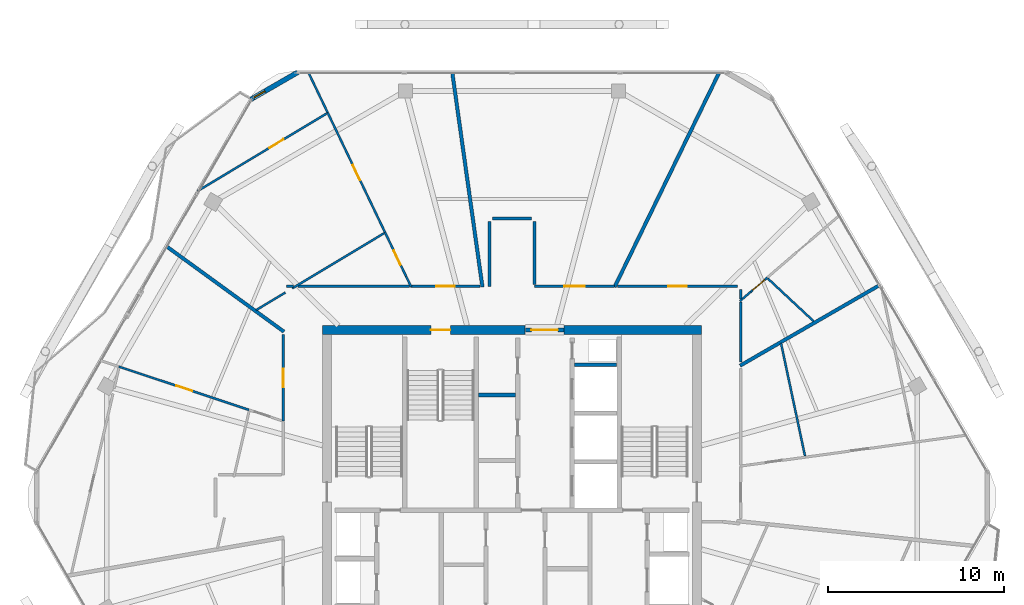
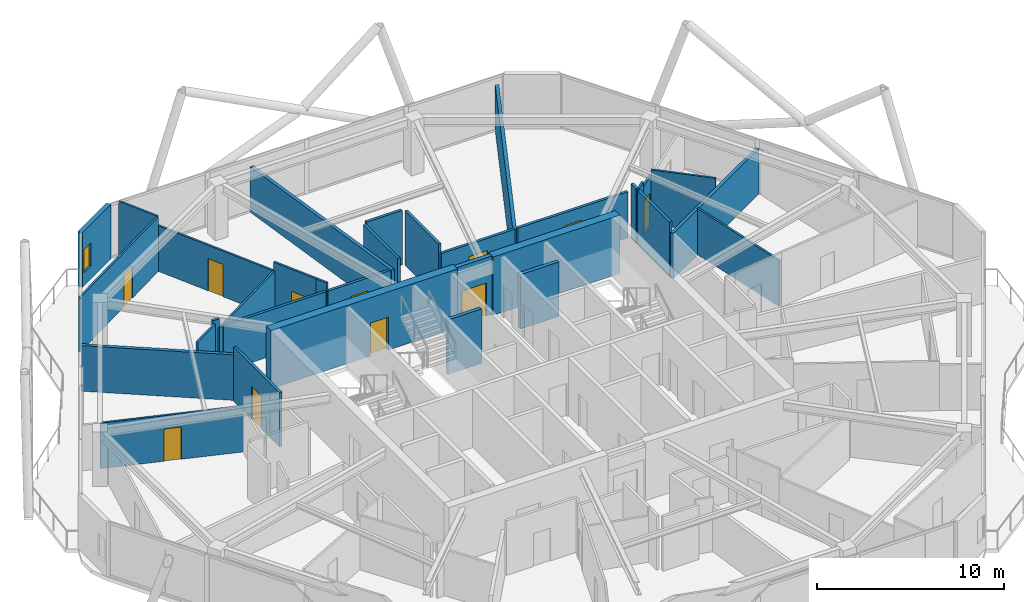
# One storey, part 19 of 23: 33 walls, 11 doors, 1 window, 12 openings.
"""IFC4 building model written with IfcOpenShell, lengths in metres."""

import ifcopenshell
import ifcopenshell.guid

model = None  # the IFC model being written
_history = None  # IfcOwnerHistory: only IFC2X3 demands one
_inside = {}  # id of a spatial element -> (the spatial element, [elements in it])
_under = {}  # id of a project, library or spatial element -> (it, [spatial elements below it])
_declared = {}  # id of a project -> (the project, [libraries it declares])
_typed = {}  # id of a type object -> (the type object, [elements of that type])
_made_of = {}  # id of a material, layer set ... -> (it, [elements and type objects made of it])


def new_model(schema):
    """Start an empty IFC model of exactly this schema.

    Asked for "IFC4X3", IfcOpenShell would pick the latest addendum, in which some entities
    have other attributes; the version numbers below select the first issue.
    IFC2X3 requires an IfcOwnerHistory on every rooted entity: one is made here for all.
    """
    global model, _history
    if schema == "IFC4X3":
        model = ifcopenshell.file(schema_version=(4, 3, 0, 0))
    else:
        model = ifcopenshell.file(schema=schema)
    _inside.clear()
    _under.clear()
    _declared.clear()
    _typed.clear()
    _made_of.clear()
    _history = None
    if model.schema == "IFC2X3":
        org = make("IfcOrganization", Name="unknown")
        user = make(
            "IfcPersonAndOrganization",
            ThePerson=make("IfcPerson", FamilyName="unknown"),
            TheOrganization=org,
        )
        app = make(
            "IfcApplication",
            ApplicationDeveloper=org,
            Version="unknown",
            ApplicationFullName="unknown",
            ApplicationIdentifier="unknown",
        )
        _history = make(
            "IfcOwnerHistory",
            OwningUser=user,
            OwningApplication=app,
            ChangeAction="ADDED",
            CreationDate=0,
        )
    return model


def make(cls, **values):
    """One entity of the class cls with the attributes given. An attribute that is None is left unset."""
    return model.create_entity(
        cls, **{name: value for name, value in values.items() if value is not None}
    )


def rooted(cls, **values):
    """An entity with a GlobalId (a new one), such as an element, a storey or a relation."""
    return make(cls, GlobalId=ifcopenshell.guid.new(), OwnerHistory=_history, **values)


def si_unit(unit_type, name, prefix=None):
    """IfcSIUnit, for example si_unit("LENGTHUNIT", "METRE", prefix="MILLI")."""
    return make("IfcSIUnit", UnitType=unit_type, Prefix=prefix, Name=name)


def assignment(units):
    """IfcUnitAssignment: the units of a project."""
    return None if units is None else make("IfcUnitAssignment", Units=units)


def point(xyz):
    """IfcCartesianPoint."""
    return None if xyz is None else make("IfcCartesianPoint", Coordinates=xyz)


def direction(xyz):
    """IfcDirection."""
    return None if xyz is None else make("IfcDirection", DirectionRatios=xyz)


def frame(location, z_axis=None, x_axis=None):
    """IfcAxis2Placement3D, a coordinate frame: its origin and axes. An axis left out is left unset."""
    return make(
        "IfcAxis2Placement3D",
        Location=point(location),
        Axis=direction(z_axis),
        RefDirection=direction(x_axis),
    )


def frame_2d(location, x_axis=None):
    """IfcAxis2Placement2D, a coordinate frame in the plane: its origin and x axis."""
    return make(
        "IfcAxis2Placement2D", Location=point(location), RefDirection=direction(x_axis)
    )


def origin():
    """The frame at (0, 0, 0) with its axes left unset."""
    return frame((0.0, 0.0, 0.0))


def place(relative_to, where):
    """IfcLocalPlacement: puts the frame where relative to a parent placement (None: the world)."""
    return make(
        "IfcLocalPlacement", PlacementRelTo=relative_to, RelativePlacement=where
    )


def context(
    kind, dimensions, precision=None, world=None, true_north=None, identifier=None
):
    """IfcGeometricRepresentationContext, for example the 3D "Model" context."""
    return make(
        "IfcGeometricRepresentationContext",
        ContextIdentifier=identifier,
        ContextType=kind,
        CoordinateSpaceDimension=dimensions,
        Precision=precision,
        WorldCoordinateSystem=world,
        TrueNorth=true_north,
    )


def subcontext(parent, identifier, kind, view, scale=None):
    """IfcGeometricRepresentationSubContext, for example "Body" below "Model"."""
    return make(
        "IfcGeometricRepresentationSubContext",
        ContextIdentifier=identifier,
        ContextType=kind,
        ParentContext=parent,
        TargetScale=scale,
        TargetView=view,
    )


def project(units=None, contexts=None):
    """IfcProject with its units and contexts."""
    return rooted(
        "IfcProject",
        Name="project",
        RepresentationContexts=contexts,
        UnitsInContext=assignment(units),
    )


def spatial(cls, under=None, at=None, **own):
    """A site, building, storey or space (cls), placed at a placement, below another one or the project."""
    s = rooted(cls, ObjectPlacement=at, **own)
    if under is not None:
        _under.setdefault(under.id(), (under, []))[1].append(s)
    return s


def profile(cls, at=None, kind="AREA", **sizes):
    """A parametric profile (cls). Its sizes go by their IFC names, for example OverallWidth=200.0."""
    return make(cls, ProfileType=kind, Position=at, **sizes)


def rectangle(**sizes):
    """IfcRectangleProfileDef."""
    return profile("IfcRectangleProfileDef", **sizes)


def extrude(swept, where, along, depth):
    """IfcExtrudedAreaSolid: the profile swept, set in the frame where, extruded along a direction by depth."""
    return make(
        "IfcExtrudedAreaSolid",
        SweptArea=swept,
        Position=where,
        ExtrudedDirection=direction(along),
        Depth=depth,
    )


def shape(context_of_items, identifier, shape_type, items):
    """IfcShapeRepresentation: the items that make up one representation, for example the "Body"."""
    return make(
        "IfcShapeRepresentation",
        ContextOfItems=context_of_items,
        RepresentationIdentifier=identifier,
        RepresentationType=shape_type,
        Items=items,
    )


def material(Name=None, Category=None):
    """IfcMaterial."""
    return make("IfcMaterial", Name=Name, Category=Category)


def layer(
    of_material, thickness, ventilated=None, Name=None, Category=None, Priority=None
):
    """IfcMaterialLayer: one layer of a wall or slab, of a material (None: an air gap)."""
    return make(
        "IfcMaterialLayer",
        Material=of_material,
        LayerThickness=thickness,
        IsVentilated=ventilated,
        Name=Name,
        Category=Category,
        Priority=Priority,
    )


def layer_set(layers, Name=None):
    """IfcMaterialLayerSet."""
    return make("IfcMaterialLayerSet", MaterialLayers=layers, LayerSetName=Name)


def made_of(thing, what):
    """Note that an element or type object is made of a material, layer set ...; save() writes the relation."""
    if what is not None:
        _made_of.setdefault(what.id(), (what, []))[1].append(thing)
    return thing


def type_object(cls, material=None, **own):
    """A type object (cls), such as IfcWallType, which elements share."""
    return made_of(rooted(cls, **own), material)


def element(
    cls,
    number,
    at=None,
    inside=None,
    cuts=None,
    type_object=None,
    material=None,
    context=None,
    identifier="Body",
    shape_type=None,
    held_by="IfcProductDefinitionShape",
    body=None,
    shapes=None,
    **own,
):
    """One element of the class cls, such as IfcWall. Its Tag is "e" and its number.

    at: its placement. inside: the storey or other place that contains it. cuts: it is an
    opening in that element (IfcRelVoidsElement). A single representation is given by context,
    identifier, shape_type and body (its items); several are given by shapes. held_by: the class
    of the entity that holds the representations. save() writes the other relations.
    """
    e = rooted(cls, Tag="e%d" % number, ObjectPlacement=at, **own)
    if body is not None:
        shapes = [shape(context, identifier, shape_type, body)]
    if shapes is not None:
        e.Representation = make(held_by, Representations=shapes)
    if inside is not None:
        _inside.setdefault(inside.id(), (inside, []))[1].append(e)
    if cuts is not None:
        rooted(
            "IfcRelVoidsElement", RelatingBuildingElement=cuts, RelatedOpeningElement=e
        )
    if type_object is not None:
        _typed.setdefault(type_object.id(), (type_object, []))[1].append(e)
    return made_of(e, material)


def fill(opening, filler):
    """IfcRelFillsElement: the door or window that sits in an opening."""
    return rooted(
        "IfcRelFillsElement",
        RelatingOpeningElement=opening,
        RelatedBuildingElement=filler,
    )


def aggregate(whole, parts):
    """IfcRelAggregates: a whole, such as a stair, and the parts it consists of."""
    return rooted("IfcRelAggregates", RelatingObject=whole, RelatedObjects=parts)


def save(model, path):
    """Write the relations noted so far, then the file.

    IfcRelAggregates (storeys below a building ...), IfcRelContainedInSpatialStructure (elements
    in a storey), IfcRelDefinesByType, IfcRelAssociatesMaterial and IfcRelDeclares: one each for
    every whole, place, type object, material and project.
    """
    for whole, parts in _under.values():
        aggregate(whole, parts)
    for where, things in _inside.values():
        rooted(
            "IfcRelContainedInSpatialStructure",
            RelatedElements=things,
            RelatingStructure=where,
        )
    for kind, things in _typed.values():
        rooted("IfcRelDefinesByType", RelatedObjects=things, RelatingType=kind)
    for what, things in _made_of.values():
        rooted("IfcRelAssociatesMaterial", RelatedObjects=things, RelatingMaterial=what)
    for by, libraries in _declared.values():
        rooted("IfcRelDeclares", RelatingContext=by, RelatedDefinitions=libraries)
    model.write(path)


model = new_model("IFC4")

# Units and contexts
model_context = context("Model", 3, precision=1e-05, world=origin(), true_north=direction((0.0, 1.0)))
body_context = subcontext(model_context, "Body", "Model", "MODEL_VIEW")
ifc_project = project(units=[si_unit("LENGTHUNIT", "METRE"), si_unit("AREAUNIT", "SQUARE_METRE"), si_unit("VOLUMEUNIT", "CUBIC_METRE"), si_unit("PLANEANGLEUNIT", "RADIAN"), si_unit("MASSUNIT", "GRAM", prefix="KILO")], contexts=[model_context])

# Site, building, storey
site_placement = place(None, origin())
site = spatial("IfcSite", under=ifc_project, at=site_placement, CompositionType="ELEMENT")
building_placement = place(site_placement, origin())
building = spatial("IfcBuilding", under=site, at=building_placement, Name="Zuhravey Tower", CompositionType="ELEMENT")
storey_placement = place(building_placement, frame((0.0, 0.0, 315.800048828125)))
storey = spatial("IfcBuildingStorey", under=building, at=storey_placement, Name="L80", CompositionType="ELEMENT", Elevation=315.800048828125)

# Wall
ifc_material_1 = material(Name="Concrete C50/60", Category="concrete")
ifc_layer_1 = layer(ifc_material_1, 0.5)
ifc_layer_set_1 = layer_set([ifc_layer_1], Name="Concrete C50/60")
wall_type_1 = type_object("IfcWallType", Name="Core Shear Wall 500", PredefinedType="SHEAR", material=ifc_layer_set_1)
wall_1_placement = place(storey_placement, frame((46.75, 41.5, 0.0), z_axis=(0.0, 0.0, 1.0), x_axis=(-1.0, 0.0, 0.0)))
element("IfcWall", 1, at=wall_1_placement, inside=storey, type_object=wall_type_1, Name="L80 North-East Core Shear Wall CW50", PredefinedType="SHEAR", context=body_context, shape_type="SweptSolid", body=[
    extrude(rectangle(XDim=7.800048828125, YDim=0.5, at=frame_2d((3.89990234375, 0.0))), origin(), (0.0, 0.0, 1.0), 3.800048828125),
])

# Wall, opening, door
wall_2_placement = place(storey_placement, frame((36.75, 41.5, 0.0), z_axis=(0.0, 0.0, 1.0), x_axis=(-1.0, 0.0, 0.0)))
wall_2 = element("IfcWall", 2, at=wall_2_placement, inside=storey, type_object=wall_type_1, Name="L80 North-West Core Shear Wall CW50", PredefinedType="SHEAR", context=body_context, shape_type="SweptSolid", body=[
    extrude(rectangle(XDim=11.5, YDim=0.5, at=frame_2d((5.75, 0.0))), origin(), (0.0, 0.0, 1.0), 3.800048828125),
])
opening_1_placement = place(wall_2_placement, frame((4.25, 0.0, 0.0)))
opening_1 = element("IfcOpeningElement", 3, at=opening_1_placement, cuts=wall_2, Name="Opening STD1", PredefinedType="OPENING", context=body_context, shape_type="SweptSolid", body=[
    extrude(rectangle(XDim=1.10009765625, YDim=2.14990234375, at=frame_2d((0.550048828125, 1.074951171875))), frame((0.0, 0.261962890625, 0.0), z_axis=(0.0, -1.0, 0.0), x_axis=(1.0, 0.0, 0.0)), (0.0, 0.0, 1.0), 0.52392578125),
])
ifc_material_2 = material(Name="Galvanised fire-rated steel leaf", Category="steel")
door_type_1 = type_object("IfcDoorType", Name="Protected Stair Fire Door 1100x2150", OperationType="NOTDEFINED", PredefinedType="USERDEFINED", material=ifc_material_2)
door_1_placement = place(opening_1_placement, origin())
door_1 = element("IfcDoor", 4, at=door_1_placement, inside=storey, type_object=door_type_1, Name="L80 Stair ST3 Door", ObjectType="EXITDOOR", OperationType="SINGLE_SWING_RIGHT", OverallHeight=2.14990234375, OverallWidth=1.10009765625, PredefinedType="USERDEFINED", context=body_context, shape_type="SweptSolid", body=[
    extrude(rectangle(XDim=1.10009765625, YDim=2.14990234375, at=frame_2d((0.550048828125, 1.074951171875))), frame((0.0, 0.02490234375, 0.0), z_axis=(0.0, -1.0, 0.0), x_axis=(1.0, 0.0, 0.0)), (0.0, 0.0, 1.0), 0.050048828125),
])
fill(opening_1, door_1)

ifc_material_3 = material(Name="Gypsum fire-rated stud partition")
ifc_layer_2 = layer(ifc_material_3, 0.159912109375)
ifc_layer_set_2 = layer_set([ifc_layer_2], Name="Gypsum fire-rated stud partition")
wall_type_2 = type_object("IfcWallType", Name="Corridor Fire Partition 160", PredefinedType="PARTITIONING", material=ifc_layer_set_2)
wall_3_placement = place(storey_placement, frame((34.189453125, 43.97998046875, 0.0), z_axis=(0.0, 0.0, 1.0), x_axis=(-1.0, 0.0, 0.0)))
wall_3 = element("IfcWall", 5, at=wall_3_placement, inside=storey, type_object=wall_type_2, Name="L80 IW16 Partition 023", PredefinedType="PARTITIONING", context=body_context, shape_type="SweptSolid", body=[
    extrude(rectangle(XDim=3.9072265625, YDim=0.159912109375, at=frame_2d((1.95361328125, 0.0))), origin(), (0.0, 0.0, 1.0), 3.0),
])
opening_2_placement = place(wall_3_placement, frame((1.428466796875, 0.0, 0.0)))
opening_2 = element("IfcOpeningElement", 6, at=opening_2_placement, cuts=wall_3, Name="Opening APD1", PredefinedType="OPENING", context=body_context, shape_type="SweptSolid", body=[
    extrude(rectangle(XDim=1.050048828125, YDim=2.14990234375, at=frame_2d((0.52490234375, 1.074951171875))), frame((0.0, 0.092041015625, 0.0), z_axis=(0.0, -1.0, 0.0), x_axis=(1.0, 0.0, 0.0)), (0.0, 0.0, 1.0), 0.183837890625),
])
ifc_material_4 = material(Name="Solid-core oak fire-rated leaf")
door_type_2 = type_object("IfcDoorType", Name="Apartment Entrance Fire Door 1050x2150", OperationType="NOTDEFINED", PredefinedType="DOOR", material=ifc_material_4)
door_2_placement = place(opening_2_placement, frame((1.050048828125, 0.0, 0.0), z_axis=(0.0, 0.0, 1.0), x_axis=(-1.0, 0.0, 0.0)))
door_2 = element("IfcDoor", 7, at=door_2_placement, inside=storey, type_object=door_type_2, Name="L80 Door 023.1", OperationType="SINGLE_SWING_RIGHT", OverallHeight=2.14990234375, OverallWidth=1.050048828125, PredefinedType="DOOR", context=body_context, shape_type="SweptSolid", body=[
    extrude(rectangle(XDim=1.050048828125, YDim=2.14990234375, at=frame_2d((0.52490234375, 1.074951171875))), frame((0.0, 0.02490234375, 0.0), z_axis=(0.0, -1.0, 0.0), x_axis=(1.0, 0.0, 0.0)), (0.0, 0.0, 1.0), 0.050048828125),
])
fill(opening_2, door_2)

wall_4_placement = place(storey_placement, frame((23.02001953125, 41.23388671875, 0.0), z_axis=(0.0, 0.0, 1.0), x_axis=(0.0, -1.0, 0.0)))
wall_4 = element("IfcWall", 8, at=wall_4_placement, inside=storey, type_object=wall_type_2, Name="L80 IW16 Partition 027", PredefinedType="PARTITIONING", context=body_context, shape_type="SweptSolid", body=[
    extrude(rectangle(XDim=4.89501953125, YDim=0.159912109375, at=frame_2d((2.447509765625, 0.0))), origin(), (0.0, 0.0, 1.0), 3.550048828125),
])
opening_3_placement = place(wall_4_placement, frame((1.922607421875, 0.0, 0.0)))
opening_3 = element("IfcOpeningElement", 9, at=opening_3_placement, cuts=wall_4, Name="Opening APD1", PredefinedType="OPENING", context=body_context, shape_type="SweptSolid", body=[
    extrude(rectangle(XDim=1.050048828125, YDim=2.14990234375, at=frame_2d((0.52490234375, 1.074951171875))), frame((0.0, 0.092041015625, 0.0), z_axis=(0.0, -1.0, 0.0), x_axis=(1.0, 0.0, 0.0)), (0.0, 0.0, 1.0), 0.183837890625),
])
door_3_placement = place(opening_3_placement, frame((1.050048828125, 0.0, 0.0), z_axis=(0.0, 0.0, 1.0), x_axis=(-1.0, 0.0, 0.0)))
door_3 = element("IfcDoor", 10, at=door_3_placement, inside=storey, type_object=door_type_2, Name="L80 Door 027.1", OperationType="SINGLE_SWING_RIGHT", OverallHeight=2.14990234375, OverallWidth=1.050048828125, PredefinedType="DOOR", context=body_context, shape_type="SweptSolid", body=[
    extrude(rectangle(XDim=1.050048828125, YDim=2.14990234375, at=frame_2d((0.52490234375, 1.074951171875))), frame((0.0, 0.02490234375, 0.0), z_axis=(0.0, -1.0, 0.0), x_axis=(1.0, 0.0, 0.0)), (0.0, 0.0, 1.0), 0.050048828125),
])
fill(opening_3, door_3)

wall_5_placement = place(storey_placement, frame((48.800048828125, 43.97998046875, 0.0), z_axis=(0.0, 0.0, 1.0), x_axis=(-1.0, 0.0, 0.0)))
wall_5 = element("IfcWall", 11, at=wall_5_placement, inside=storey, type_object=wall_type_2, Name="L80 IW16 Partition 050", PredefinedType="PARTITIONING", context=body_context, shape_type="SweptSolid", body=[
    extrude(rectangle(XDim=6.8046875, YDim=0.159912109375, at=frame_2d((3.40234375, 0.0))), origin(), (0.0, 0.0, 1.0), 3.0),
])
opening_4_placement = place(wall_5_placement, frame((2.877197265625, 0.0, 0.0)))
opening_4 = element("IfcOpeningElement", 12, at=opening_4_placement, cuts=wall_5, Name="Opening APD1", PredefinedType="OPENING", context=body_context, shape_type="SweptSolid", body=[
    extrude(rectangle(XDim=1.050048828125, YDim=2.14990234375, at=frame_2d((0.52490234375, 1.074951171875))), frame((0.0, 0.092041015625, 0.0), z_axis=(0.0, -1.0, 0.0), x_axis=(1.0, 0.0, 0.0)), (0.0, 0.0, 1.0), 0.183837890625),
])
door_4_placement = place(opening_4_placement, frame((1.050048828125, 0.0, 0.0), z_axis=(0.0, 0.0, 1.0), x_axis=(-1.0, 0.0, 0.0)))
door_4 = element("IfcDoor", 13, at=door_4_placement, inside=storey, type_object=door_type_2, Name="L80 Door 050.1", OperationType="SINGLE_SWING_LEFT", OverallHeight=2.14990234375, OverallWidth=1.050048828125, PredefinedType="DOOR", context=body_context, shape_type="SweptSolid", body=[
    extrude(rectangle(XDim=1.050048828125, YDim=2.14990234375, at=frame_2d((0.52490234375, 1.074951171875))), frame((0.0, 0.02490234375, 0.0), z_axis=(0.0, -1.0, 0.0), x_axis=(1.0, 0.0, 0.0)), (0.0, 0.0, 1.0), 0.050048828125),
])
fill(opening_4, door_4)

wall_6_placement = place(storey_placement, frame((41.82080078125, 43.97998046875, 0.0), z_axis=(0.0, 0.0, 1.0), x_axis=(-1.0, 0.0, 0.0)))
wall_6 = element("IfcWall", 14, at=wall_6_placement, inside=storey, type_object=wall_type_2, Name="L80 IW16 Partition 051", PredefinedType="PARTITIONING", context=body_context, shape_type="SweptSolid", body=[
    extrude(rectangle(XDim=4.540771484375, YDim=0.159912109375, at=frame_2d((2.2705078125, 0.0))), origin(), (0.0, 0.0, 1.0), 3.0),
])
opening_5_placement = place(wall_6_placement, frame((1.6953125, 0.0, 0.0)))
opening_5 = element("IfcOpeningElement", 15, at=opening_5_placement, cuts=wall_6, Name="Opening CLD1", PredefinedType="OPENING", context=body_context, shape_type="SweptSolid", body=[
    extrude(rectangle(XDim=1.14990234375, YDim=2.199951171875, at=frame_2d((0.574951171875, 1.10009765625))), frame((0.0, 0.092041015625, 0.0), z_axis=(0.0, -1.0, 0.0), x_axis=(1.0, 0.0, 0.0)), (0.0, 0.0, 1.0), 0.183837890625),
])
ifc_material_5 = material(Name="Acoustic timber leaf with vision lite", Category="wood")
door_type_3 = type_object("IfcDoorType", Name="Classroom Acoustic Door 1150x2200", OperationType="NOTDEFINED", PredefinedType="DOOR", material=ifc_material_5)
door_5_placement = place(opening_5_placement, frame((1.14990234375, 0.0, 0.0), z_axis=(0.0, 0.0, 1.0), x_axis=(-1.0, 0.0, 0.0)))
door_5 = element("IfcDoor", 16, at=door_5_placement, inside=storey, type_object=door_type_3, Name="L80 Door 051.1", OperationType="SINGLE_SWING_RIGHT", OverallHeight=2.199951171875, OverallWidth=1.14990234375, PredefinedType="DOOR", context=body_context, shape_type="SweptSolid", body=[
    extrude(rectangle(XDim=1.14990234375, YDim=2.199951171875, at=frame_2d((0.574951171875, 1.10009765625))), frame((0.0, 0.02490234375, 0.0), z_axis=(0.0, -1.0, 0.0), x_axis=(1.0, 0.0, 0.0)), (0.0, 0.0, 1.0), 0.050048828125),
])
fill(opening_5, door_5)

# Walls
wall_7_placement = place(storey_placement, frame((30.184814453125, 43.97998046875, 0.0), z_axis=(0.0, 0.0, 1.0), x_axis=(-1.0, 0.0, 0.0)))
element("IfcWall", 17, at=wall_7_placement, inside=storey, type_object=wall_type_2, Name="L80 IW16 Partition 094", PredefinedType="PARTITIONING", context=body_context, shape_type="SweptSolid", body=[
    extrude(rectangle(XDim=6.3203125, YDim=0.159912109375, at=frame_2d((3.16015625, 0.0))), origin(), (0.0, 0.0, 1.0), 3.0),
])
wall_8_placement = place(storey_placement, frame((23.6005859375, 43.97998046875, 0.0), z_axis=(0.0, 0.0, 1.0), x_axis=(-1.0, 0.0, 0.0)))
element("IfcWall", 18, at=wall_8_placement, inside=storey, type_object=wall_type_2, Name="L80 IW16 Partition 095", PredefinedType="PARTITIONING", context=body_context, shape_type="SweptSolid", body=[
    extrude(rectangle(XDim=0.400634765625, YDim=0.159912109375, at=frame_2d((0.2001953125, 0.0))), origin(), (0.0, 0.0, 1.0), 3.550048828125),
])
wall_9_placement = place(storey_placement, frame((48.97998046875, 43.26611328125, 0.0), z_axis=(0.0, 0.0, 1.0), x_axis=(0.0, 1.0, 0.0)))
element("IfcWall", 19, at=wall_9_placement, inside=storey, type_object=wall_type_2, Name="L80 IW16 Partition 112", PredefinedType="PARTITIONING", context=body_context, shape_type="SweptSolid", body=[
    extrude(rectangle(XDim=0.533935546875, YDim=0.159912109375, at=frame_2d((0.26708984375, 0.0))), origin(), (0.0, 0.0, 1.0), 3.550048828125),
])
wall_10_placement = place(storey_placement, frame((48.97998046875, 39.6689453125, 0.0), z_axis=(0.0, 0.0, 1.0), x_axis=(0.0, 1.0, 0.0)))
element("IfcWall", 20, at=wall_10_placement, inside=storey, type_object=wall_type_2, Name="L80 IW16 Partition 113", PredefinedType="PARTITIONING", context=body_context, shape_type="SweptSolid", body=[
    extrude(rectangle(XDim=3.417724609375, YDim=0.159912109375, at=frame_2d((1.708984375, 0.0))), origin(), (0.0, 0.0, 1.0), 3.550048828125),
])
wall_11_placement = place(storey_placement, frame((37.280029296875, 44.068115234375, 0.0), z_axis=(0.0, 0.0, 1.0), x_axis=(0.0, 1.0, 0.0)))
element("IfcWall", 21, at=wall_11_placement, inside=storey, type_object=wall_type_2, Name="L80 IW16 Partition 114", PredefinedType="PARTITIONING", context=body_context, shape_type="SweptSolid", body=[
    extrude(rectangle(XDim=3.581787109375, YDim=0.159912109375, at=frame_2d((1.791015625, 0.0))), origin(), (0.0, 0.0, 1.0), 3.550048828125),
])
wall_12_placement = place(storey_placement, frame((34.719970703125, 47.64990234375, 0.0), z_axis=(0.0, 0.0, 1.0), x_axis=(0.0, -1.0, 0.0)))
element("IfcWall", 22, at=wall_12_placement, inside=storey, type_object=wall_type_2, Name="L80 IW16 Partition 115", PredefinedType="PARTITIONING", context=body_context, shape_type="SweptSolid", body=[
    extrude(rectangle(XDim=3.669921875, YDim=0.159912109375, at=frame_2d((1.8349609375, 0.0))), origin(), (0.0, 0.0, 1.0), 3.550048828125),
])
wall_13_placement = place(storey_placement, frame((37.10009765625, 47.830078125, 0.0), z_axis=(0.0, 0.0, 1.0), x_axis=(-1.0, 0.0, 0.0)))
element("IfcWall", 23, at=wall_13_placement, inside=storey, type_object=wall_type_2, Name="L80 IW16 Partition 116", PredefinedType="PARTITIONING", context=body_context, shape_type="SweptSolid", body=[
    extrude(rectangle(XDim=2.2001953125, YDim=0.159912109375, at=frame_2d((1.10009765625, 0.0))), origin(), (0.0, 0.0, 1.0), 3.550048828125),
])

# Wall, opening, window
ifc_material_6 = material(Name="Precast concrete C40/50", Category="concrete")
ifc_layer_3 = layer(ifc_material_6, 0.280029296875)
ifc_layer_set_3 = layer_set([ifc_layer_3], Name="Precast concrete C40/50")
wall_type_3 = type_object("IfcWallType", Name="Crown Architectural Wall 280", PredefinedType="SOLIDWALL", material=ifc_layer_set_3)
wall_14_placement = place(storey_placement, frame((21.188720703125, 54.589111328125, 0.0), z_axis=(0.0, 0.0, 1.0), x_axis=(0.866023752521, 0.50000286006, 0.0)))
wall_14 = element("IfcWall", 24, at=wall_14_placement, inside=storey, type_object=wall_type_3, Name="L80 Rounded Corner Closure Wall EW28-08", PredefinedType="SOLIDWALL", context=body_context, shape_type="SweptSolid", body=[
    extrude(rectangle(XDim=3.06494140625, YDim=0.280029296875, at=frame_2d((1.532470703125, 0.0))), origin(), (0.0, 0.0, 1.0), 3.550048828125),
])
opening_6_placement = place(wall_14_placement, frame((0.1728515625, 0.0, 0.85009765625)))
opening_6 = element("IfcOpeningElement", 25, at=opening_6_placement, cuts=wall_14, Name="Opening WN5", PredefinedType="OPENING", context=body_context, shape_type="SweptSolid", body=[
    extrude(rectangle(XDim=0.75, YDim=1.5, at=frame_2d((0.375, 0.75))), frame((0.0, 0.152099609375, 0.0), z_axis=(0.0, -1.0, 0.0), x_axis=(1.0, 0.0, 0.0)), (0.0, 0.0, 1.0), 0.303955078125),
])
ifc_material_7 = material(Name="Thermally broken aluminium and triple low-E glass", Category="aluminium")
window_type = type_object("IfcWindowType", Name="Residential Corner Casement Window 750x1500", PartitioningType="SINGLE_PANEL", PredefinedType="WINDOW", material=ifc_material_7)
window_placement = place(opening_6_placement, origin())
window = element("IfcWindow", 26, at=window_placement, inside=storey, type_object=window_type, Name="L80 Corner Casement Window WN5-08.1", OverallHeight=1.5, OverallWidth=0.75, PartitioningType="SINGLE_PANEL", PredefinedType="WINDOW", context=body_context, shape_type="SweptSolid", body=[
    extrude(rectangle(XDim=0.75, YDim=1.5, at=frame_2d((0.375, 0.75))), frame((0.0, 0.030029296875, 0.0), z_axis=(0.0, -1.0, 0.0), x_axis=(1.0, 0.0, 0.0)), (0.0, 0.0, 1.0), 0.06005859375),
])
fill(opening_6, window)

# Wall, opening, door
ifc_layer_4 = layer(ifc_material_1, 0.25)
ifc_layer_set_4 = layer_set([ifc_layer_4], Name="Concrete C50/60")
wall_type_4 = type_object("IfcWallType", Name="Firefighting Shaft & Stair Wall 250", PredefinedType="SOLIDWALL", material=ifc_layer_set_4)
wall_15_placement = place(storey_placement, frame((36.760009765625, 41.5, 0.0), z_axis=(0.0, 0.0, 1.0), x_axis=(1.0, 0.0, 0.0)))
wall_15 = element("IfcWall", 27, at=wall_15_placement, inside=storey, type_object=wall_type_4, Name="L80 FW25 Shaft Wall 002", PredefinedType="SOLIDWALL", context=body_context, shape_type="SweptSolid", body=[
    extrude(rectangle(XDim=2.179931640625, YDim=0.25, at=frame_2d((1.08984375, 0.0))), origin(), (0.0, 0.0, 1.0), 3.800048828125),
])
opening_7_placement = place(wall_15_placement, frame((0.340087890625, 0.0, 0.0)))
opening_7 = element("IfcOpeningElement", 28, at=opening_7_placement, cuts=wall_15, Name="Opening FFD1", PredefinedType="OPENING", context=body_context, shape_type="SweptSolid", body=[
    extrude(rectangle(XDim=1.5, YDim=2.14990234375, at=frame_2d((0.75, 1.074951171875))), frame((0.0, 0.136962890625, 0.0), z_axis=(0.0, -1.0, 0.0), x_axis=(1.0, 0.0, 0.0)), (0.0, 0.0, 1.0), 0.27392578125),
])
door_type_4 = type_object("IfcDoorType", Name="Firefighting Lobby Double Door 1500x2150", OperationType="DOUBLE_DOOR_SINGLE_SWING", PredefinedType="DOOR", material=ifc_material_2)
door_6_placement = place(opening_7_placement, origin())
door_6 = element("IfcDoor", 29, at=door_6_placement, inside=storey, type_object=door_type_4, Name="L80 North Lift Lobby Exit Door", OperationType="DOUBLE_DOOR_SINGLE_SWING", OverallHeight=2.14990234375, OverallWidth=1.5, PredefinedType="DOOR", context=body_context, shape_type="SweptSolid", body=[
    extrude(rectangle(XDim=1.5, YDim=2.14990234375, at=frame_2d((0.75, 1.074951171875))), frame((0.0, 0.02490234375, 0.0), z_axis=(0.0, -1.0, 0.0), x_axis=(1.0, 0.0, 0.0)), (0.0, 0.0, 1.0), 0.050048828125),
])
fill(opening_7, door_6)

# Walls
ifc_material_8 = material(Name="Gypsum double-stud party assembly")
ifc_layer_5 = layer(ifc_material_8, 0.199951171875)
ifc_layer_set_5 = layer_set([ifc_layer_5], Name="Gypsum double-stud party assembly")
wall_type_5 = type_object("IfcWallType", Name="Inter-Tenancy Party Wall 200", PredefinedType="PARTITIONING", material=ifc_layer_set_5)
wall_16_placement = place(storey_placement, frame((34.322021484375, 43.93994140625, 0.0), z_axis=(0.0, 0.0, 1.0), x_axis=(-0.139169963781, 0.990268509638, 0.0)))
element("IfcWall", 30, at=wall_16_placement, inside=storey, type_object=wall_type_5, Name="L80 IW20 Partition 058", PredefinedType="PARTITIONING", context=body_context, shape_type="SweptSolid", body=[
    extrude(rectangle(XDim=12.25341796875, YDim=0.199951171875, at=frame_2d((6.126708984375, 0.0))), origin(), (0.0, 0.0, 1.0), 2.969970703125),
])
wall_17_placement = place(storey_placement, frame((23.06005859375, 41.401611328125, 0.0), z_axis=(0.0, 0.0, 1.0), x_axis=(-0.80902654106, 0.587772112184, 0.0)))
element("IfcWall", 31, at=wall_17_placement, inside=storey, type_object=wall_type_5, Name="L80 IW20 Partition 063", PredefinedType="PARTITIONING", context=body_context, shape_type="SweptSolid", body=[
    extrude(rectangle(XDim=8.211669921875, YDim=0.199951171875, at=frame_2d((4.10595703125, 0.0))), origin(), (0.0, 0.0, 1.0), 2.969970703125),
])
wall_18_placement = place(storey_placement, frame((48.93994140625, 39.470947265625, 0.0), z_axis=(0.0, 0.0, 1.0), x_axis=(0.866028436312, 0.499994747472, 0.0)))
element("IfcWall", 32, at=wall_18_placement, inside=storey, type_object=wall_type_5, Name="L80 IW20 Partition 090", PredefinedType="PARTITIONING", context=body_context, shape_type="SweptSolid", body=[
    extrude(rectangle(XDim=9.13232421875, YDim=0.199951171875, at=frame_2d((4.566162109375, 0.0))), origin(), (0.0, 0.0, 1.0), 2.969970703125),
])
wall_19_placement = place(storey_placement, frame((41.823486328125, 43.93994140625, 0.0), z_axis=(0.0, 0.0, 1.0), x_axis=(0.438366981634, 0.898796077769, 0.0)))
element("IfcWall", 33, at=wall_19_placement, inside=storey, type_object=wall_type_5, Name="L80 IW20 Partition 093", PredefinedType="PARTITIONING", context=body_context, shape_type="SweptSolid", body=[
    extrude(rectangle(XDim=13.50048828125, YDim=0.199951171875, at=frame_2d((6.750244140625, 0.0))), origin(), (0.0, 0.0, 1.0), 2.969970703125),
])
ifc_material_9 = material(Name="Gypsum acoustic stud assembly")
ifc_layer_6 = layer(ifc_material_9, 0.219970703125)
ifc_layer_set_6 = layer_set([ifc_layer_6], Name="Gypsum acoustic stud assembly")
wall_type_6 = type_object("IfcWallType", Name="School Acoustic Compartment Wall 220", PredefinedType="PARTITIONING", material=ifc_layer_set_6)
wall_20_placement = place(storey_placement, frame((34.10791015625, 37.800048828125, 0.0), z_axis=(0.0, 0.0, 1.0), x_axis=(1.0, 0.0, 0.0)))
element("IfcWall", 34, at=wall_20_placement, inside=storey, type_object=wall_type_6, Name="L80 IW22 Partition 053", PredefinedType="PARTITIONING", context=body_context, shape_type="SweptSolid", body=[
    extrude(rectangle(XDim=2.083984375, YDim=0.219970703125, at=frame_2d((1.0419921875, 0.0))), origin(), (0.0, 0.0, 1.0), 3.550048828125),
])
wall_21_placement = place(storey_placement, frame((39.55810546875, 39.52490234375, 0.0), z_axis=(0.0, 0.0, 1.0), x_axis=(1.0, 0.0, 0.0)))
element("IfcWall", 35, at=wall_21_placement, inside=storey, type_object=wall_type_6, Name="L80 IW22 Partition 056", PredefinedType="PARTITIONING", context=body_context, shape_type="SweptSolid", body=[
    extrude(rectangle(XDim=2.3837890625, YDim=0.219970703125, at=frame_2d((1.19189453125, 0.0))), origin(), (0.0, 0.0, 1.0), 3.550048828125),
])

# Wall, opening, door
ifc_material_10 = material(Name="Gypsum metal-stud partition")
ifc_layer_7 = layer(ifc_material_10, 0.1201171875)
ifc_layer_set_7 = layer_set([ifc_layer_7], Name="Gypsum metal-stud partition")
wall_type_7 = type_object("IfcWallType", Name="Unit Internal Partition 120", PredefinedType="PARTITIONING", material=ifc_layer_set_7)
wall_22_placement = place(storey_placement, frame((29.987060546875, 44.550048828125, 0.0), z_axis=(0.0, 0.0, 1.0), x_axis=(-0.432094791042, 0.901828194034, 0.0)))
wall_22 = element("IfcWall", 36, at=wall_22_placement, inside=storey, type_object=wall_type_7, Name="L80 IW12 Partition 020", PredefinedType="PARTITIONING", context=body_context, shape_type="SweptSolid", body=[
    extrude(rectangle(XDim=2.769775390625, YDim=0.1201171875, at=frame_2d((1.384765625, 0.0))), origin(), (0.0, 0.0, 1.0), 3.550048828125),
])
opening_8_placement = place(wall_22_placement, frame((0.71337890625, 0.0, 0.0)))
opening_8 = element("IfcOpeningElement", 37, at=opening_8_placement, cuts=wall_22, Name="Opening WCD1", PredefinedType="OPENING", context=body_context, shape_type="SweptSolid", body=[
    extrude(rectangle(XDim=0.89990234375, YDim=2.10009765625, at=frame_2d((0.449951171875, 1.050048828125))), frame((0.0, 0.072021484375, 0.0), z_axis=(0.0, -1.0, 0.0), x_axis=(1.0, 0.0, 0.0)), (0.0, 0.0, 1.0), 0.14404296875),
])
ifc_material_11 = material(Name="Moisture-resistant timber leaf", Category="wood")
door_type_5 = type_object("IfcDoorType", Name="Bathroom & WC Internal Door 900x2100", OperationType="NOTDEFINED", PredefinedType="DOOR", material=ifc_material_11)
door_7_placement = place(opening_8_placement, origin())
door_7 = element("IfcDoor", 38, at=door_7_placement, inside=storey, type_object=door_type_5, Name="Apartment L80-01 Bathroom Door", OperationType="SINGLE_SWING_LEFT", OverallHeight=2.10009765625, OverallWidth=0.89990234375, PredefinedType="DOOR", context=body_context, shape_type="SweptSolid", body=[
    extrude(rectangle(XDim=0.89990234375, YDim=2.10009765625, at=frame_2d((0.449951171875, 1.050048828125))), frame((0.0, 0.02490234375, 0.0), z_axis=(0.0, -1.0, 0.0), x_axis=(1.0, 0.0, 0.0)), (0.0, 0.0, 1.0), 0.050048828125),
])
fill(opening_8, door_7)

wall_23_placement = place(storey_placement, frame((28.790283203125, 47.0478515625, 0.0), z_axis=(0.0, 0.0, 1.0), x_axis=(-0.432076809904, 0.901836809153, 0.0)))
wall_23 = element("IfcWall", 39, at=wall_23_placement, inside=storey, type_object=wall_type_7, Name="L80 IW12 Partition 021", PredefinedType="PARTITIONING", context=body_context, shape_type="SweptSolid", body=[
    extrude(rectangle(XDim=7.534912109375, YDim=0.1201171875, at=frame_2d((3.767578125, 0.0))), origin(), (0.0, 0.0, 1.0), 2.969970703125),
])
opening_9_placement = place(wall_23_placement, frame((3.267333984375, 0.0, 0.0)))
opening_9 = element("IfcOpeningElement", 40, at=opening_9_placement, cuts=wall_23, Name="Opening IND1", PredefinedType="OPENING", context=body_context, shape_type="SweptSolid", body=[
    extrude(rectangle(XDim=0.949951171875, YDim=2.10009765625, at=frame_2d((0.47509765625, 1.050048828125))), frame((0.0, 0.072021484375, 0.0), z_axis=(0.0, -1.0, 0.0), x_axis=(1.0, 0.0, 0.0)), (0.0, 0.0, 1.0), 0.14404296875),
])
ifc_material_12 = material(Name="Painted engineered timber leaf", Category="wood")
door_type_6 = type_object("IfcDoorType", Name="Internal Room & Bedroom Door 950x2100", OperationType="NOTDEFINED", PredefinedType="DOOR", material=ifc_material_12)
door_8_placement = place(opening_9_placement, origin())
door_8 = element("IfcDoor", 41, at=door_8_placement, inside=storey, type_object=door_type_6, Name="Apartment L80-01 Home Office Door", OperationType="SINGLE_SWING_RIGHT", OverallHeight=2.10009765625, OverallWidth=0.949951171875, PredefinedType="DOOR", context=body_context, shape_type="SweptSolid", body=[
    extrude(rectangle(XDim=0.949951171875, YDim=2.10009765625, at=frame_2d((0.47509765625, 1.050048828125))), frame((0.0, 0.02490234375, 0.0), z_axis=(0.0, -1.0, 0.0), x_axis=(1.0, 0.0, 0.0)), (0.0, 0.0, 1.0), 0.050048828125),
])
fill(opening_9, door_8)

wall_24_placement = place(storey_placement, frame((25.48681640625, 53.785400390625, 0.0), z_axis=(0.0, 0.0, 1.0), x_axis=(-0.857163620168, -0.515044200299, 0.0)))
wall_24 = element("IfcWall", 42, at=wall_24_placement, inside=storey, type_object=wall_type_7, Name="L80 IW12 Partition 022", PredefinedType="PARTITIONING", context=body_context, shape_type="SweptSolid", body=[
    extrude(rectangle(XDim=8.573974609375, YDim=0.1201171875, at=frame_2d((4.287109375, 0.0))), origin(), (0.0, 0.0, 1.0), 3.550048828125),
])
opening_10_placement = place(wall_24_placement, frame((2.84765625, 0.0, 0.0)))
opening_10 = element("IfcOpeningElement", 43, at=opening_10_placement, cuts=wall_24, Name="Opening IND1", PredefinedType="OPENING", context=body_context, shape_type="SweptSolid", body=[
    extrude(rectangle(XDim=0.949951171875, YDim=2.10009765625, at=frame_2d((0.47509765625, 1.050048828125))), frame((0.0, 0.072021484375, 0.0), z_axis=(0.0, -1.0, 0.0), x_axis=(1.0, 0.0, 0.0)), (0.0, 0.0, 1.0), 0.14404296875),
])
door_9_placement = place(opening_10_placement, frame((0.949951171875, 0.0, 0.0), z_axis=(0.0, 0.0, 1.0), x_axis=(-1.0, 0.0, 0.0)))
door_9 = element("IfcDoor", 44, at=door_9_placement, inside=storey, type_object=door_type_6, Name="Apartment L80-01 Bedroom 1 Door", OperationType="SINGLE_SWING_LEFT", OverallHeight=2.10009765625, OverallWidth=0.949951171875, PredefinedType="DOOR", context=body_context, shape_type="SweptSolid", body=[
    extrude(rectangle(XDim=0.949951171875, YDim=2.10009765625, at=frame_2d((0.47509765625, 1.050048828125))), frame((0.0, 0.02490234375, 0.0), z_axis=(0.0, -1.0, 0.0), x_axis=(1.0, 0.0, 0.0)), (0.0, 0.0, 1.0), 0.050048828125),
])
fill(opening_10, door_9)

wall_25_placement = place(storey_placement, frame((21.0732421875, 36.965576171875, 0.0), z_axis=(0.0, 0.0, 1.0), x_axis=(-0.948883822728, 0.315625554995, 0.0)))
wall_25 = element("IfcWall", 45, at=wall_25_placement, inside=storey, type_object=wall_type_7, Name="L80 IW12 Partition 025", PredefinedType="PARTITIONING", context=body_context, shape_type="SweptSolid", body=[
    extrude(rectangle(XDim=7.78466796875, YDim=0.1201171875, at=frame_2d((3.892333984375, 0.0))), origin(), (0.0, 0.0, 1.0), 2.969970703125),
])
opening_11_placement = place(wall_25_placement, frame((3.39208984375, 0.0, 0.0)))
opening_11 = element("IfcOpeningElement", 46, at=opening_11_placement, cuts=wall_25, Name="Opening IND1", PredefinedType="OPENING", context=body_context, shape_type="SweptSolid", body=[
    extrude(rectangle(XDim=0.949951171875, YDim=2.10009765625, at=frame_2d((0.47509765625, 1.050048828125))), frame((0.0, 0.072021484375, 0.0), z_axis=(0.0, -1.0, 0.0), x_axis=(1.0, 0.0, 0.0)), (0.0, 0.0, 1.0), 0.14404296875),
])
door_10_placement = place(opening_11_placement, origin())
door_10 = element("IfcDoor", 47, at=door_10_placement, inside=storey, type_object=door_type_6, Name="Apartment L80-02 Home Office Door", OperationType="SINGLE_SWING_RIGHT", OverallHeight=2.10009765625, OverallWidth=0.949951171875, PredefinedType="DOOR", context=body_context, shape_type="SweptSolid", body=[
    extrude(rectangle(XDim=0.949951171875, YDim=2.10009765625, at=frame_2d((0.47509765625, 1.050048828125))), frame((0.0, 0.02490234375, 0.0), z_axis=(0.0, -1.0, 0.0), x_axis=(1.0, 0.0, 0.0)), (0.0, 0.0, 1.0), 0.050048828125),
])
fill(opening_11, door_10)

wall_26_placement = place(storey_placement, frame((49.550048828125, 43.667236328125, 0.0), z_axis=(0.0, 0.0, 1.0), x_axis=(0.757782315792, 0.652507442006, 0.0)))
wall_26 = element("IfcWall", 48, at=wall_26_placement, inside=storey, type_object=wall_type_7, Name="L80 IW12 Partition 048", PredefinedType="PARTITIONING", context=body_context, shape_type="SweptSolid", body=[
    extrude(rectangle(XDim=1.24072265625, YDim=0.1201171875, at=frame_2d((0.620361328125, 0.0))), origin(), (0.0, 0.0, 1.0), 3.199951171875),
])
opening_12_placement = place(wall_26_placement, frame((0.139892578125, 0.0, 0.0)))
opening_12 = element("IfcOpeningElement", 49, at=opening_12_placement, cuts=wall_26, Name="Opening WCD1", PredefinedType="OPENING", context=body_context, shape_type="SweptSolid", body=[
    extrude(rectangle(XDim=0.89990234375, YDim=2.10009765625, at=frame_2d((0.449951171875, 1.050048828125))), frame((0.0, 0.072021484375, 0.0), z_axis=(0.0, -1.0, 0.0), x_axis=(1.0, 0.0, 0.0)), (0.0, 0.0, 1.0), 0.14404296875),
])
door_11_placement = place(opening_12_placement, frame((0.89990234375, 0.0, 0.0), z_axis=(0.0, 0.0, 1.0), x_axis=(-1.0, 0.0, 0.0)))
door_11 = element("IfcDoor", 50, at=door_11_placement, inside=storey, type_object=door_type_5, Name="Apartment L80-08 Bathroom Door", OperationType="SINGLE_SWING_LEFT", OverallHeight=2.10009765625, OverallWidth=0.89990234375, PredefinedType="DOOR", context=body_context, shape_type="SweptSolid", body=[
    extrude(rectangle(XDim=0.89990234375, YDim=2.10009765625, at=frame_2d((0.449951171875, 1.050048828125))), frame((0.0, 0.02490234375, 0.0), z_axis=(0.0, -1.0, 0.0), x_axis=(1.0, 0.0, 0.0)), (0.0, 0.0, 1.0), 0.050048828125),
])
fill(opening_12, door_11)

# Walls
wall_27_placement = place(storey_placement, frame((30.280517578125, 43.9375, 0.0), z_axis=(0.0, 0.0, 1.0), x_axis=(-0.432053187678, 0.901848126359, 0.0)))
element("IfcWall", 51, at=wall_27_placement, inside=storey, type_object=wall_type_7, Name="L80 IW12 Partition 059", PredefinedType="PARTITIONING", context=body_context, shape_type="SweptSolid", body=[
    extrude(rectangle(XDim=0.67919921875, YDim=0.1201171875, at=frame_2d((0.339599609375, 0.0))), origin(), (0.0, 0.0, 1.0), 3.550048828125),
])
wall_28_placement = place(storey_placement, frame((25.53466796875, 53.843017578125, 0.0), z_axis=(0.0, 0.0, 1.0), x_axis=(-0.432145203879, 0.901804037896, 0.0)))
element("IfcWall", 52, at=wall_28_placement, inside=storey, type_object=wall_type_7, Name="L80 IW12 Partition 060", PredefinedType="PARTITIONING", context=body_context, shape_type="SweptSolid", body=[
    extrude(rectangle(XDim=2.4794921875, YDim=0.1201171875, at=frame_2d((1.23974609375, 0.0))), origin(), (0.0, 0.0, 1.0), 3.550048828125),
])
wall_29_placement = place(storey_placement, frame((28.742431640625, 46.990234375, 0.0), z_axis=(0.0, 0.0, 1.0), x_axis=(-0.85717020717, -0.515033237704, 0.0)))
element("IfcWall", 53, at=wall_29_placement, inside=storey, type_object=wall_type_7, Name="L80 IW12 Partition 061", PredefinedType="PARTITIONING", context=body_context, shape_type="SweptSolid", body=[
    extrude(rectangle(XDim=6.07763671875, YDim=0.1201171875, at=frame_2d((3.038818359375, 0.0))), origin(), (0.0, 0.0, 1.0), 3.0),
])
wall_30_placement = place(storey_placement, frame((23.139892578125, 43.623779296875, 0.0), z_axis=(0.0, 0.0, 1.0), x_axis=(-0.857182204265, -0.515013270403, 0.0)))
element("IfcWall", 54, at=wall_30_placement, inside=storey, type_object=wall_type_7, Name="L80 IW12 Partition 062", PredefinedType="PARTITIONING", context=body_context, shape_type="SweptSolid", body=[
    extrude(rectangle(XDim=1.942138671875, YDim=0.1201171875, at=frame_2d((0.97119140625, 0.0))), origin(), (0.0, 0.0, 1.0), 3.550048828125),
])
wall_31_placement = place(storey_placement, frame((52.625732421875, 34.34619140625, 0.0), z_axis=(0.0, 0.0, 1.0), x_axis=(-0.207896658566, 0.978150795817, 0.0)))
element("IfcWall", 55, at=wall_31_placement, inside=storey, type_object=wall_type_7, Name="L80 IW12 Partition 089", PredefinedType="PARTITIONING", context=body_context, shape_type="SweptSolid", body=[
    extrude(rectangle(XDim=6.548095703125, YDim=0.1201171875, at=frame_2d((3.27392578125, 0.0))), origin(), (0.0, 0.0, 1.0), 3.0),
])
wall_32_placement = place(storey_placement, frame((48.93505859375, 43.1376953125, 0.0), z_axis=(0.0, 0.0, 1.0), x_axis=(0.757789461508, 0.652499143315, 0.0)))
element("IfcWall", 56, at=wall_32_placement, inside=storey, type_object=wall_type_7, Name="L80 IW12 Partition 091", PredefinedType="PARTITIONING", context=body_context, shape_type="SweptSolid", body=[
    extrude(rectangle(XDim=0.8115234375, YDim=0.1201171875, at=frame_2d((0.40576171875, 0.0))), origin(), (0.0, 0.0, 1.0), 3.550048828125),
])
wall_33_placement = place(storey_placement, frame((53.107666015625, 42.001708984375, 0.0), z_axis=(0.0, 0.0, 1.0), x_axis=(-0.731321501002, 0.682032889362, 0.0)))
element("IfcWall", 57, at=wall_33_placement, inside=storey, type_object=wall_type_7, Name="L80 IW12 Partition 092", PredefinedType="PARTITIONING", context=body_context, shape_type="SweptSolid", body=[
    extrude(rectangle(XDim=3.53662109375, YDim=0.1201171875, at=frame_2d((1.768310546875, 0.0))), origin(), (0.0, 0.0, 1.0), 3.550048828125),
])

save(model, "model.ifc")
